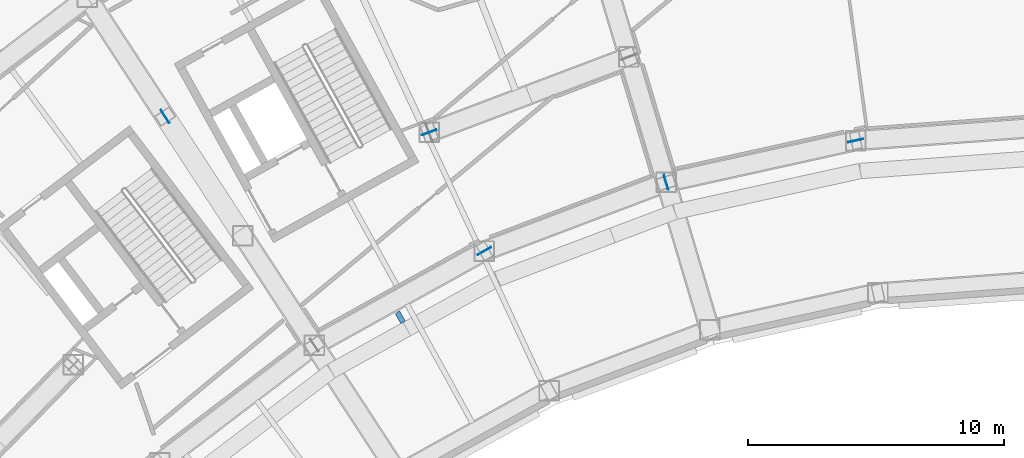
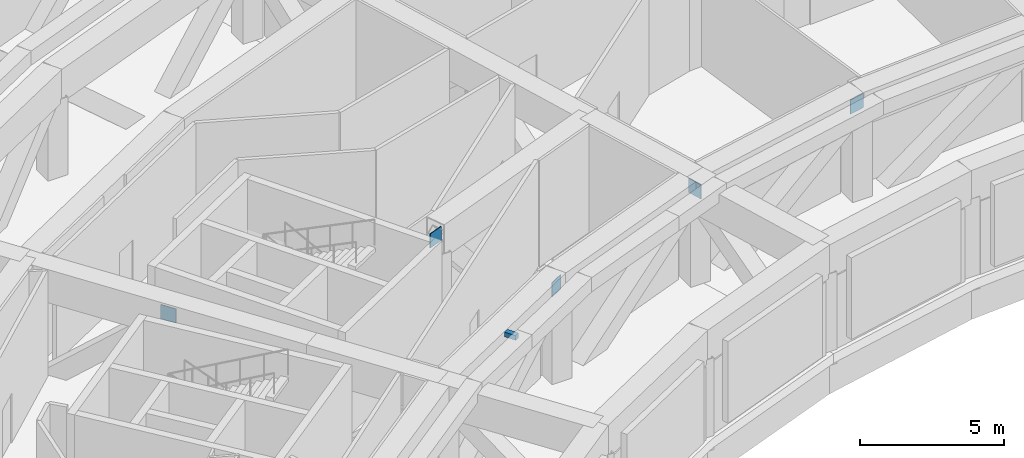
# One storey, part 20 of 30: 6 discrete accessories.
"""IFC4 building model written with IfcOpenShell, lengths in metres."""

from ifc_helpers import new_model, si_unit, direction, frame, origin, origin_2d, place, context, subcontext, project, spatial, rectangle, extrude, material, type_object, element, save


model = new_model("IFC4")

# Units and contexts
model_context = context("Model", 3, precision=1e-05, world=origin(), true_north=direction((0.0, 1.0)))
body_context = subcontext(model_context, "Body", "Model", "MODEL_VIEW")
ifc_project = project(units=[si_unit("LENGTHUNIT", "METRE"), si_unit("AREAUNIT", "SQUARE_METRE"), si_unit("VOLUMEUNIT", "CUBIC_METRE"), si_unit("PLANEANGLEUNIT", "RADIAN"), si_unit("MASSUNIT", "GRAM", prefix="KILO")], contexts=[model_context])

# Site, building, storey
site_placement = place(None, origin())
site = spatial("IfcSite", under=ifc_project, at=site_placement, CompositionType="ELEMENT")
building_placement = place(site_placement, origin())
building = spatial("IfcBuilding", under=site, at=building_placement, Name="Tuul Gate Civic Tower", CompositionType="ELEMENT")
storey_placement = place(building_placement, frame((0.0, 0.0, 26.699951171875)))
storey = spatial("IfcBuildingStorey", under=building, at=storey_placement, Name="Plant and refuge floor 1", CompositionType="ELEMENT", Elevation=26.699951171875)

# Discrete accessories
ifc_material_1 = material(Name="Steel S355", Category="steel")
discrete_accessory_type_1 = type_object("IfcDiscreteAccessoryType", Name="Gusset plate", PredefinedType="BRACKET", material=ifc_material_1)
for number, where, z_axis, x_axis, name in (
    (1, (-14.984375, -9.639892578125, 3.503173828125), (0.0, 0.0, 1.0), (-0.28519561857, 0.958469331355, 0.0), "Gusset plate"),
    (2, (-34.5625, -7.068115234375, 3.50341796875), (0.0, 0.0, 1.0), (-0.546705342807, 0.837325067191, 0.0), "Gusset plate"),
    (3, (-24.239013671875, -7.68603515625, 3.50390625), (0.0, 0.0, 1.0), (0.935378577037, 0.353648013737, 0.0), "Gusset plate"),
    (4, (-22.083251953125, -12.322998046875, 3.502685546875), (0.0, 0.0, 1.0), (-0.874598044765, -0.484848698146, 0.0), "Gusset plate"),
    (5, (-7.56787109375, -8.005126953125, 3.502685546875), (0.0, 0.0, 1.0), (-0.97656368755, -0.215228632292, 0.0), "Gusset plate"),
):
    element("IfcDiscreteAccessory", number, at=place(storey_placement, frame(where, z_axis=z_axis, x_axis=x_axis)), inside=storey, type_object=discrete_accessory_type_1, Name=name, PredefinedType="BRACKET", context=body_context, shape_type="SweptSolid", body=[
        extrude(rectangle(XDim=0.60009765625, YDim=0.030029296875, at=origin_2d()), origin(), (0.0, 0.0, 1.0), 0.60009765625),
    ])
ifc_material_2 = material(Name="Stainless steel", Category="steel")
discrete_accessory_type_2 = type_object("IfcDiscreteAccessoryType", Name="Screen bracket", PredefinedType="BRACKET", material=ifc_material_2)
discrete_accessory_placement = place(storey_placement, frame((-25.371337890625, -14.9169921875, 4.35009765625), z_axis=(0.0, 0.0, 1.0), x_axis=(0.490455124857, -0.871466448293, 0.0)))
element("IfcDiscreteAccessory", 6, at=discrete_accessory_placement, inside=storey, type_object=discrete_accessory_type_2, Name="Screen bracket 22", PredefinedType="BRACKET", context=body_context, shape_type="SweptSolid", body=[
    extrude(rectangle(XDim=0.449951171875, YDim=0.199951171875, at=origin_2d()), origin(), (0.0, 0.0, 1.0), 0.199951171875),
])

save(model, "model.ifc")
